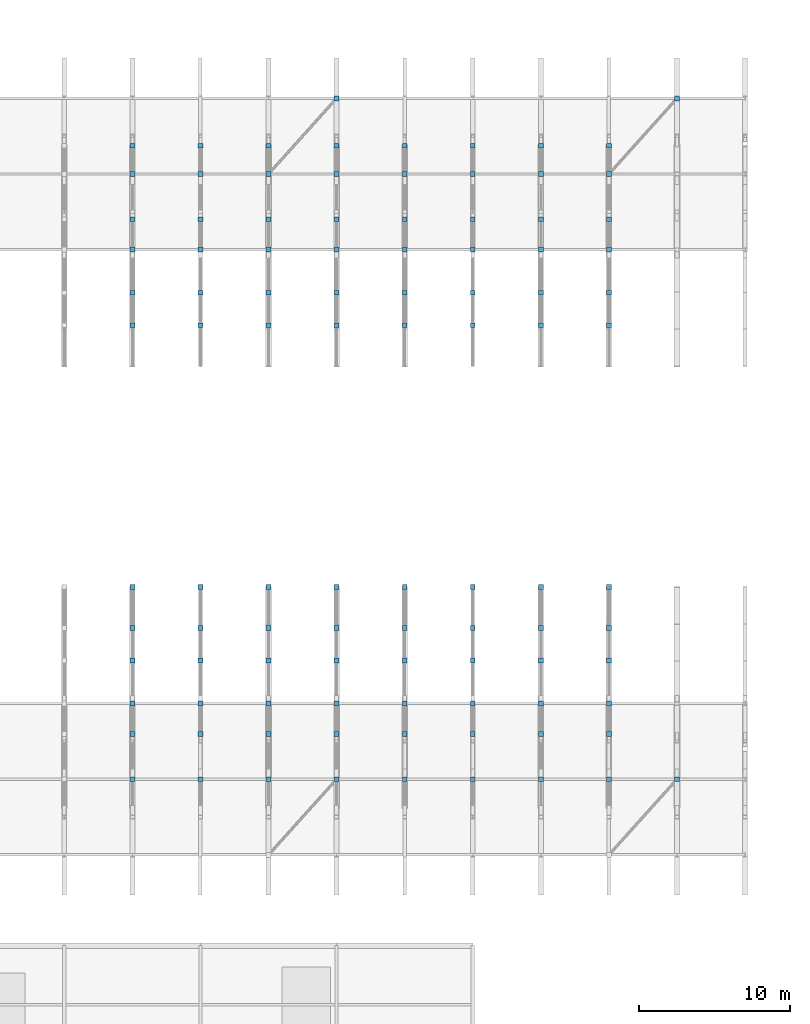
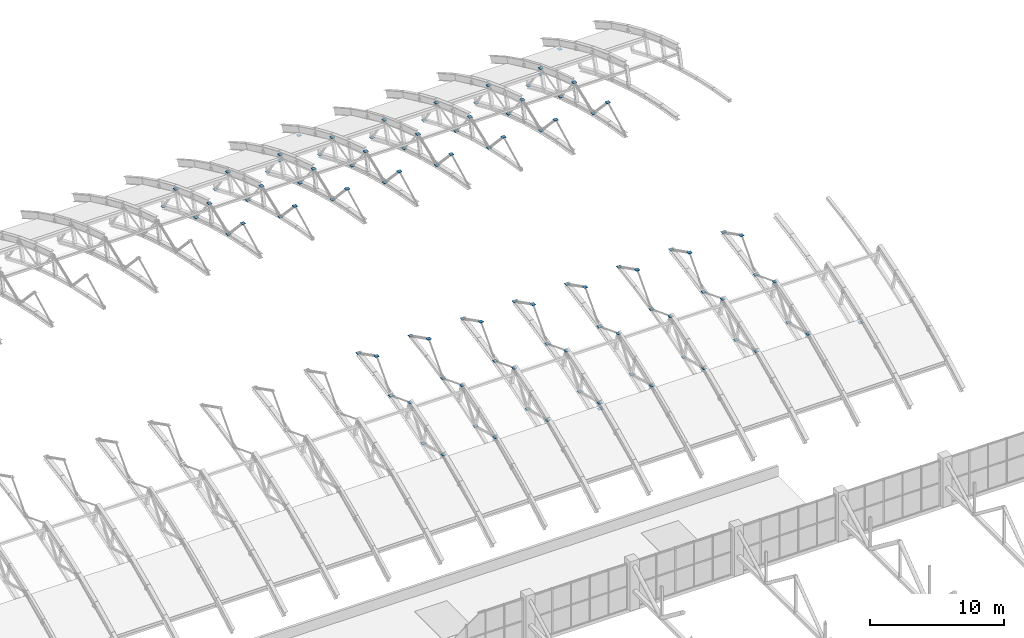
# One storey, part 99 of 103: 102 discrete accessories.
"""IFC4 building model written with IfcOpenShell, lengths in metres."""

from ifc_helpers import new_model, si_unit, direction, frame, origin, origin_2d, place, context, subcontext, project, spatial, rectangle, extrude, material, type_object, element, save


model = new_model("IFC4")

# Units and contexts
model_context = context("Model", 3, precision=1e-05, world=origin(), true_north=direction((0.0, 1.0)))
body_context = subcontext(model_context, "Body", "Model", "MODEL_VIEW")
ifc_project = project(units=[si_unit("LENGTHUNIT", "METRE"), si_unit("AREAUNIT", "SQUARE_METRE"), si_unit("VOLUMEUNIT", "CUBIC_METRE"), si_unit("PLANEANGLEUNIT", "RADIAN"), si_unit("MASSUNIT", "GRAM", prefix="KILO")], contexts=[model_context])

# Site, building, storey
site_placement = place(None, origin())
site = spatial("IfcSite", under=ifc_project, at=site_placement, CompositionType="ELEMENT")
building_placement = place(site_placement, origin())
building = spatial("IfcBuilding", under=site, at=building_placement, Name="Cazmaro Siding Exhibition Halls", CompositionType="ELEMENT")
storey_placement = place(building_placement, frame((0.0, 0.0, 16.5)))
storey = spatial("IfcBuildingStorey", under=building, at=storey_placement, Name="L03", CompositionType="ELEMENT", Elevation=16.5)

# Discrete accessories
ifc_material = material(Name="Steel ASTM A572 Grade 50", Category="steel")
discrete_accessory_type = type_object("IfcDiscreteAccessoryType", Name="GP-CONN-01", PredefinedType="BRACKET", material=ifc_material)
for number, where, z_axis, x_axis, name in (
    (1, (130.5, 74.0, 3.10693359375), (0.0, 0.0, 1.0), (1.0, 0.0, 0.0), "Welded Steel Brace Node Gusset Connection GP-01 0566"),
    (2, (130.5, 76.990966796875, 2.3251953125), (0.0, 0.0, 1.0), (1.0, 0.0, 0.0), "Welded Steel Brace Node Gusset Connection GP-01 0567"),
    (3, (130.5, 79.0, 4.83984375), (0.0, 0.0, 1.0), (1.0, 0.0, 0.0), "Welded Steel Brace Node Gusset Connection GP-01 0568"),
    (4, (130.5, 81.85009765625, 3.74609375), (0.0, 0.0, 1.0), (1.0, 0.0, 0.0), "Welded Steel Brace Node Gusset Connection GP-01 0569"),
    (5, (130.5, 84.0, 6.0419921875), (0.0, 0.0, 1.0), (1.0, 0.0, 0.0), "Welded Steel Brace Node Gusset Connection GP-01 0570"),
    (6, (130.5, 86.7099609375, 4.671875), (0.0, 0.0, 1.0), (1.0, 0.0, 0.0), "Welded Steel Brace Node Gusset Connection GP-01 0571"),
    (7, (130.5, 104.0, 6.0419921875), (0.0, 0.0, 1.0), (1.0, 0.0, 0.0), "Welded Steel Brace Node Gusset Connection GP-01 0577"),
    (8, (130.5, 106.14990234375, 3.74609375), (0.0, 0.0, 1.0), (1.0, 0.0, 0.0), "Welded Steel Brace Node Gusset Connection GP-01 0578"),
    (9, (130.5, 109.0, 4.83984375), (0.0, 0.0, 1.0), (1.0, 0.0, 0.0), "Welded Steel Brace Node Gusset Connection GP-01 0579"),
    (10, (130.5, 111.009033203125, 2.3251953125), (0.0, 0.0, 1.0), (1.0, 0.0, 0.0), "Welded Steel Brace Node Gusset Connection GP-01 0580"),
    (11, (130.5, 114.0, 3.10693359375), (0.0, 0.0, 1.0), (1.0, 0.0, 0.0), "Welded Steel Brace Node Gusset Connection GP-01 0581"),
    (12, (130.5, 115.868896484375, 0.36376953125), (0.0, 0.0, 1.0), (1.0, 0.0, 0.0), "Welded Steel Brace Node Gusset Connection GP-01 0582"),
    (13, (135.0, 74.0, 3.10693359375), (0.0, 0.0, 1.0), (1.0, 0.0, 0.0), "Welded Steel Brace Node Gusset Connection GP-01 0599"),
    (14, (135.0, 76.990966796875, 2.3251953125), (0.0, 0.0, 1.0), (1.0, 0.0, 0.0), "Welded Steel Brace Node Gusset Connection GP-01 0600"),
    (15, (135.0, 79.0, 4.83984375), (0.0, 0.0, 1.0), (1.0, 0.0, 0.0), "Welded Steel Brace Node Gusset Connection GP-01 0601"),
    (16, (135.0, 81.85009765625, 3.74609375), (0.0, 0.0, 1.0), (1.0, 0.0, 0.0), "Welded Steel Brace Node Gusset Connection GP-01 0602"),
    (17, (135.0, 84.0, 6.0419921875), (0.0, 0.0, 1.0), (1.0, 0.0, 0.0), "Welded Steel Brace Node Gusset Connection GP-01 0603"),
    (18, (135.0, 86.7099609375, 4.671875), (0.0, 0.0, 1.0), (1.0, 0.0, 0.0), "Welded Steel Brace Node Gusset Connection GP-01 0604"),
    (19, (135.0, 104.0, 6.0419921875), (0.0, 0.0, 1.0), (1.0, 0.0, 0.0), "Welded Steel Brace Node Gusset Connection GP-01 0610"),
    (20, (135.0, 106.14990234375, 3.74609375), (0.0, 0.0, 1.0), (1.0, 0.0, 0.0), "Welded Steel Brace Node Gusset Connection GP-01 0611"),
    (21, (135.0, 109.0, 4.83984375), (0.0, 0.0, 1.0), (1.0, 0.0, 0.0), "Welded Steel Brace Node Gusset Connection GP-01 0612"),
    (22, (135.0, 111.009033203125, 2.3251953125), (0.0, 0.0, 1.0), (1.0, 0.0, 0.0), "Welded Steel Brace Node Gusset Connection GP-01 0613"),
    (23, (135.0, 114.0, 3.10693359375), (0.0, 0.0, 1.0), (1.0, 0.0, 0.0), "Welded Steel Brace Node Gusset Connection GP-01 0614"),
    (24, (135.0, 115.868896484375, 0.36376953125), (0.0, 0.0, 1.0), (1.0, 0.0, 0.0), "Welded Steel Brace Node Gusset Connection GP-01 0615"),
    (25, (139.5, 74.0, 3.10693359375), (0.0, 0.0, 1.0), (1.0, 0.0, 0.0), "Welded Steel Brace Node Gusset Connection GP-01 0623"),
    (26, (139.5, 76.990966796875, 2.3251953125), (0.0, 0.0, 1.0), (1.0, 0.0, 0.0), "Welded Steel Brace Node Gusset Connection GP-01 0624"),
    (27, (139.5, 79.0, 4.83984375), (0.0, 0.0, 1.0), (1.0, 0.0, 0.0), "Welded Steel Brace Node Gusset Connection GP-01 0625"),
    (28, (139.5, 81.85009765625, 3.74609375), (0.0, 0.0, 1.0), (1.0, 0.0, 0.0), "Welded Steel Brace Node Gusset Connection GP-01 0626"),
    (29, (139.5, 84.0, 6.0419921875), (0.0, 0.0, 1.0), (1.0, 0.0, 0.0), "Welded Steel Brace Node Gusset Connection GP-01 0627"),
    (30, (139.5, 86.7099609375, 4.671875), (0.0, 0.0, 1.0), (1.0, 0.0, 0.0), "Welded Steel Brace Node Gusset Connection GP-01 0628"),
    (31, (139.5, 104.0, 6.0419921875), (0.0, 0.0, 1.0), (1.0, 0.0, 0.0), "Welded Steel Brace Node Gusset Connection GP-01 0636"),
    (32, (139.5, 106.14990234375, 3.74609375), (0.0, 0.0, 1.0), (1.0, 0.0, 0.0), "Welded Steel Brace Node Gusset Connection GP-01 0637"),
    (33, (139.5, 109.0, 4.83984375), (0.0, 0.0, 1.0), (1.0, 0.0, 0.0), "Welded Steel Brace Node Gusset Connection GP-01 0638"),
    (34, (139.5, 111.009033203125, 2.3251953125), (0.0, 0.0, 1.0), (1.0, 0.0, 0.0), "Welded Steel Brace Node Gusset Connection GP-01 0639"),
    (35, (139.5, 114.0, 2.56689453125), (0.0, 0.0, 1.0), (1.0, 0.0, 0.0), "Welded Steel Brace Node Gusset Connection GP-01 0640"),
    (36, (139.5, 114.0, 3.10693359375), (0.0, 0.0, 1.0), (1.0, 0.0, 0.0), "Welded Steel Brace Node Gusset Connection GP-01 0641"),
    (37, (139.5, 115.868896484375, 0.36376953125), (0.0, 0.0, 1.0), (1.0, 0.0, 0.0), "Welded Steel Brace Node Gusset Connection GP-01 0642"),
    (38, (144.0, 74.0, 2.56689453125), (0.0, 0.0, 1.0), (1.0, 0.0, 0.0), "Welded Steel Brace Node Gusset Connection GP-01 0660"),
    (39, (144.0, 74.0, 3.10693359375), (0.0, 0.0, 1.0), (1.0, 0.0, 0.0), "Welded Steel Brace Node Gusset Connection GP-01 0661"),
    (40, (144.0, 76.990966796875, 2.3251953125), (0.0, 0.0, 1.0), (1.0, 0.0, 0.0), "Welded Steel Brace Node Gusset Connection GP-01 0662"),
    (41, (144.0, 79.0, 4.83984375), (0.0, 0.0, 1.0), (1.0, 0.0, 0.0), "Welded Steel Brace Node Gusset Connection GP-01 0663"),
    (42, (144.0, 81.85009765625, 3.74609375), (0.0, 0.0, 1.0), (1.0, 0.0, 0.0), "Welded Steel Brace Node Gusset Connection GP-01 0664"),
    (43, (144.0, 84.0, 6.0419921875), (0.0, 0.0, 1.0), (1.0, 0.0, 0.0), "Welded Steel Brace Node Gusset Connection GP-01 0665"),
    (44, (144.0, 86.7099609375, 4.671875), (0.0, 0.0, 1.0), (1.0, 0.0, 0.0), "Welded Steel Brace Node Gusset Connection GP-01 0666"),
    (45, (144.0, 104.0, 6.0419921875), (0.0, 0.0, 1.0), (1.0, 0.0, 0.0), "Welded Steel Brace Node Gusset Connection GP-01 0673"),
    (46, (144.0, 106.14990234375, 3.74609375), (0.0, 0.0, 1.0), (1.0, 0.0, 0.0), "Welded Steel Brace Node Gusset Connection GP-01 0674"),
    (47, (144.0, 109.0, 4.83984375), (0.0, 0.0, 1.0), (1.0, 0.0, 0.0), "Welded Steel Brace Node Gusset Connection GP-01 0675"),
    (48, (144.0, 111.009033203125, 2.3251953125), (0.0, 0.0, 1.0), (1.0, 0.0, 0.0), "Welded Steel Brace Node Gusset Connection GP-01 0676"),
    (49, (144.0, 114.0, 3.10693359375), (0.0, 0.0, 1.0), (1.0, 0.0, 0.0), "Welded Steel Brace Node Gusset Connection GP-01 0677"),
    (50, (144.0, 115.868896484375, 0.36376953125), (0.0, 0.0, 1.0), (1.0, 0.0, 0.0), "Welded Steel Brace Node Gusset Connection GP-01 0678"),
    (51, (144.0, 119.0, 0.24609375), (0.0, 0.0, 1.0), (1.0, 0.0, 0.0), "Welded Steel Brace Node Gusset Connection GP-01 0679"),
    (52, (148.5, 74.0, 3.10693359375), (0.0, 0.0, 1.0), (1.0, 0.0, 0.0), "Welded Steel Brace Node Gusset Connection GP-01 0685"),
    (53, (148.5, 76.990966796875, 2.3251953125), (0.0, 0.0, 1.0), (1.0, 0.0, 0.0), "Welded Steel Brace Node Gusset Connection GP-01 0686"),
    (54, (148.5, 79.0, 4.83984375), (0.0, 0.0, 1.0), (1.0, 0.0, 0.0), "Welded Steel Brace Node Gusset Connection GP-01 0687"),
    (55, (148.5, 81.85009765625, 3.74609375), (0.0, 0.0, 1.0), (1.0, 0.0, 0.0), "Welded Steel Brace Node Gusset Connection GP-01 0688"),
    (56, (148.5, 84.0, 6.0419921875), (0.0, 0.0, 1.0), (1.0, 0.0, 0.0), "Welded Steel Brace Node Gusset Connection GP-01 0689"),
    (57, (148.5, 86.7099609375, 4.671875), (0.0, 0.0, 1.0), (1.0, 0.0, 0.0), "Welded Steel Brace Node Gusset Connection GP-01 0690"),
    (58, (148.5, 104.0, 6.0419921875), (0.0, 0.0, 1.0), (1.0, 0.0, 0.0), "Welded Steel Brace Node Gusset Connection GP-01 0696"),
    (59, (148.5, 106.14990234375, 3.74609375), (0.0, 0.0, 1.0), (1.0, 0.0, 0.0), "Welded Steel Brace Node Gusset Connection GP-01 0697"),
    (60, (148.5, 109.0, 4.83984375), (0.0, 0.0, 1.0), (1.0, 0.0, 0.0), "Welded Steel Brace Node Gusset Connection GP-01 0698"),
    (61, (148.5, 111.009033203125, 2.3251953125), (0.0, 0.0, 1.0), (1.0, 0.0, 0.0), "Welded Steel Brace Node Gusset Connection GP-01 0699"),
    (62, (148.5, 114.0, 3.10693359375), (0.0, 0.0, 1.0), (1.0, 0.0, 0.0), "Welded Steel Brace Node Gusset Connection GP-01 0700"),
    (63, (148.5, 115.868896484375, 0.36376953125), (0.0, 0.0, 1.0), (1.0, 0.0, 0.0), "Welded Steel Brace Node Gusset Connection GP-01 0701"),
    (64, (153.0, 74.0, 3.10693359375), (0.0, 0.0, 1.0), (1.0, 0.0, 0.0), "Welded Steel Brace Node Gusset Connection GP-01 0718"),
    (65, (153.0, 76.990966796875, 2.3251953125), (0.0, 0.0, 1.0), (1.0, 0.0, 0.0), "Welded Steel Brace Node Gusset Connection GP-01 0719"),
    (66, (153.0, 79.0, 4.83984375), (0.0, 0.0, 1.0), (1.0, 0.0, 0.0), "Welded Steel Brace Node Gusset Connection GP-01 0720"),
    (67, (153.0, 81.85009765625, 3.74609375), (0.0, 0.0, 1.0), (1.0, 0.0, 0.0), "Welded Steel Brace Node Gusset Connection GP-01 0721"),
    (68, (153.0, 84.0, 6.0419921875), (0.0, 0.0, 1.0), (1.0, 0.0, 0.0), "Welded Steel Brace Node Gusset Connection GP-01 0722"),
    (69, (153.0, 86.7099609375, 4.671875), (0.0, 0.0, 1.0), (1.0, 0.0, 0.0), "Welded Steel Brace Node Gusset Connection GP-01 0723"),
    (70, (153.0, 104.0, 6.0419921875), (0.0, 0.0, 1.0), (1.0, 0.0, 0.0), "Welded Steel Brace Node Gusset Connection GP-01 0729"),
    (71, (153.0, 106.14990234375, 3.74609375), (0.0, 0.0, 1.0), (1.0, 0.0, 0.0), "Welded Steel Brace Node Gusset Connection GP-01 0730"),
    (72, (153.0, 109.0, 4.83984375), (0.0, 0.0, 1.0), (1.0, 0.0, 0.0), "Welded Steel Brace Node Gusset Connection GP-01 0731"),
    (73, (153.0, 111.009033203125, 2.3251953125), (0.0, 0.0, 1.0), (1.0, 0.0, 0.0), "Welded Steel Brace Node Gusset Connection GP-01 0732"),
    (74, (153.0, 114.0, 3.10693359375), (0.0, 0.0, 1.0), (1.0, 0.0, 0.0), "Welded Steel Brace Node Gusset Connection GP-01 0733"),
    (75, (153.0, 115.868896484375, 0.36376953125), (0.0, 0.0, 1.0), (1.0, 0.0, 0.0), "Welded Steel Brace Node Gusset Connection GP-01 0734"),
    (76, (157.5, 74.0, 3.10693359375), (0.0, 0.0, 1.0), (1.0, 0.0, 0.0), "Welded Steel Brace Node Gusset Connection GP-01 0740"),
    (77, (157.5, 76.990966796875, 2.3251953125), (0.0, 0.0, 1.0), (1.0, 0.0, 0.0), "Welded Steel Brace Node Gusset Connection GP-01 0741"),
    (78, (157.5, 79.0, 4.83984375), (0.0, 0.0, 1.0), (1.0, 0.0, 0.0), "Welded Steel Brace Node Gusset Connection GP-01 0742"),
    (79, (157.5, 81.85009765625, 3.74609375), (0.0, 0.0, 1.0), (1.0, 0.0, 0.0), "Welded Steel Brace Node Gusset Connection GP-01 0743"),
    (80, (157.5, 84.0, 6.0419921875), (0.0, 0.0, 1.0), (1.0, 0.0, 0.0), "Welded Steel Brace Node Gusset Connection GP-01 0744"),
    (81, (157.5, 86.7099609375, 4.671875), (0.0, 0.0, 1.0), (1.0, 0.0, 0.0), "Welded Steel Brace Node Gusset Connection GP-01 0745"),
    (82, (157.5, 104.0, 6.0419921875), (0.0, 0.0, 1.0), (1.0, 0.0, 0.0), "Welded Steel Brace Node Gusset Connection GP-01 0751"),
    (83, (157.5, 106.14990234375, 3.74609375), (0.0, 0.0, 1.0), (1.0, 0.0, 0.0), "Welded Steel Brace Node Gusset Connection GP-01 0752"),
    (84, (157.5, 109.0, 4.83984375), (0.0, 0.0, 1.0), (1.0, 0.0, 0.0), "Welded Steel Brace Node Gusset Connection GP-01 0753"),
    (85, (157.5, 111.009033203125, 2.3251953125), (0.0, 0.0, 1.0), (1.0, 0.0, 0.0), "Welded Steel Brace Node Gusset Connection GP-01 0754"),
    (86, (157.5, 114.0, 3.10693359375), (0.0, 0.0, 1.0), (1.0, 0.0, 0.0), "Welded Steel Brace Node Gusset Connection GP-01 0755"),
    (87, (157.5, 115.868896484375, 0.36376953125), (0.0, 0.0, 1.0), (1.0, 0.0, 0.0), "Welded Steel Brace Node Gusset Connection GP-01 0756"),
    (88, (162.0, 74.0, 3.10693359375), (0.0, 0.0, 1.0), (1.0, 0.0, 0.0), "Welded Steel Brace Node Gusset Connection GP-01 0775"),
    (89, (162.0, 76.990966796875, 2.3251953125), (0.0, 0.0, 1.0), (1.0, 0.0, 0.0), "Welded Steel Brace Node Gusset Connection GP-01 0776"),
    (90, (162.0, 79.0, 4.83984375), (0.0, 0.0, 1.0), (1.0, 0.0, 0.0), "Welded Steel Brace Node Gusset Connection GP-01 0777"),
    (91, (162.0, 81.85009765625, 3.74609375), (0.0, 0.0, 1.0), (1.0, 0.0, 0.0), "Welded Steel Brace Node Gusset Connection GP-01 0778"),
    (92, (162.0, 84.0, 6.0419921875), (0.0, 0.0, 1.0), (1.0, 0.0, 0.0), "Welded Steel Brace Node Gusset Connection GP-01 0779"),
    (93, (162.0, 86.7099609375, 4.671875), (0.0, 0.0, 1.0), (1.0, 0.0, 0.0), "Welded Steel Brace Node Gusset Connection GP-01 0780"),
    (94, (162.0, 104.0, 6.0419921875), (0.0, 0.0, 1.0), (1.0, 0.0, 0.0), "Welded Steel Brace Node Gusset Connection GP-01 0788"),
    (95, (162.0, 106.14990234375, 3.74609375), (0.0, 0.0, 1.0), (1.0, 0.0, 0.0), "Welded Steel Brace Node Gusset Connection GP-01 0789"),
    (96, (162.0, 109.0, 4.83984375), (0.0, 0.0, 1.0), (1.0, 0.0, 0.0), "Welded Steel Brace Node Gusset Connection GP-01 0790"),
    (97, (162.0, 111.009033203125, 2.3251953125), (0.0, 0.0, 1.0), (1.0, 0.0, 0.0), "Welded Steel Brace Node Gusset Connection GP-01 0791"),
    (98, (162.0, 114.0, 2.56689453125), (0.0, 0.0, 1.0), (1.0, 0.0, 0.0), "Welded Steel Brace Node Gusset Connection GP-01 0792"),
    (99, (162.0, 114.0, 3.10693359375), (0.0, 0.0, 1.0), (1.0, 0.0, 0.0), "Welded Steel Brace Node Gusset Connection GP-01 0793"),
    (100, (162.0, 115.868896484375, 0.36376953125), (0.0, 0.0, 1.0), (1.0, 0.0, 0.0), "Welded Steel Brace Node Gusset Connection GP-01 0794"),
    (101, (166.5, 74.0, 2.56689453125), (0.0, 0.0, 1.0), (1.0, 0.0, 0.0), "Welded Steel Brace Node Gusset Connection GP-01 0798"),
    (102, (166.5, 119.0, 0.24609375), (0.0, 0.0, 1.0), (1.0, 0.0, 0.0), "Welded Steel Brace Node Gusset Connection GP-01 0800"),
):
    element("IfcDiscreteAccessory", number, at=place(storey_placement, frame(where, z_axis=z_axis, x_axis=x_axis)), inside=storey, type_object=discrete_accessory_type, Name=name, PredefinedType="BRACKET", context=body_context, shape_type="SweptSolid", body=[
        extrude(rectangle(XDim=0.320068359375, YDim=0.320068359375, at=origin_2d()), origin(), (0.0, 0.0, 1.0), 0.030029296875),
    ])

save(model, "model.ifc")
